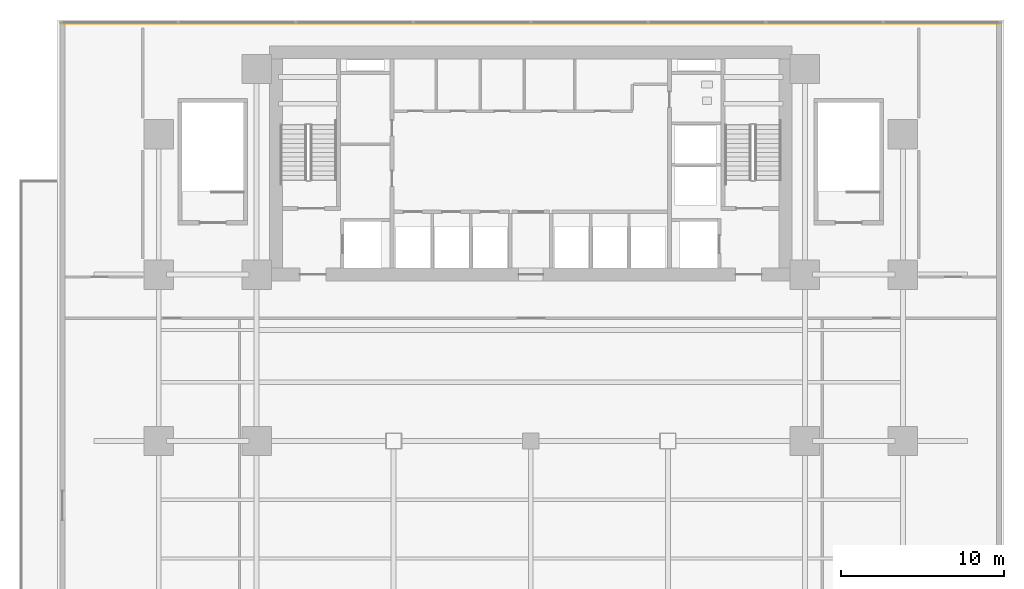
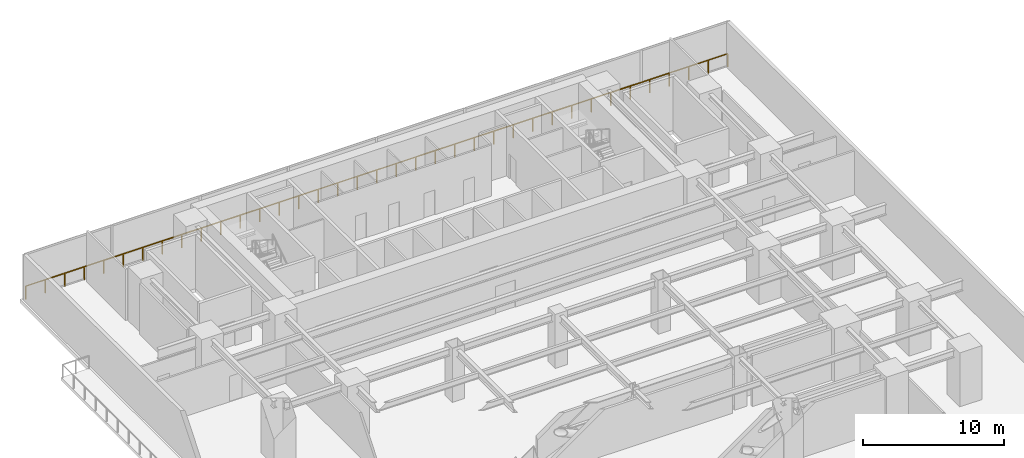
# One storey, part 13 of 15: 1 railing.
"""IFC4 building model written with IfcOpenShell, lengths in metres."""

from ifc_helpers import new_model, si_unit, direction, frame, origin, origin_2d, place, context, subcontext, project, spatial, rectangle, extrude, material, type_object, element, save


model = new_model("IFC4")

# Units and contexts
model_context = context("Model", 3, precision=1e-05, world=origin(), true_north=direction((0.0, 1.0)))
body_context = subcontext(model_context, "Body", "Model", "MODEL_VIEW")
ifc_project = project(units=[si_unit("LENGTHUNIT", "METRE"), si_unit("AREAUNIT", "SQUARE_METRE"), si_unit("VOLUMEUNIT", "CUBIC_METRE"), si_unit("PLANEANGLEUNIT", "RADIAN"), si_unit("MASSUNIT", "GRAM", prefix="KILO")], contexts=[model_context])

# Site, building, storey
site_placement = place(None, origin())
site = spatial("IfcSite", under=ifc_project, at=site_placement, CompositionType="ELEMENT")
building_placement = place(site_placement, origin())
building = spatial("IfcBuilding", under=site, at=building_placement, Name="Sumidabori Civic Tower", CompositionType="ELEMENT")
storey_placement = place(building_placement, frame((0.0, 0.0, 18.949951171875)))
storey = spatial("IfcBuildingStorey", under=building, at=storey_placement, Name="L04", CompositionType="ELEMENT", Elevation=18.949951171875)

# Railing
ifc_material = material(Name="Anodised Bronze Aluminium AW-6063-T6", Category="aluminium")
railing_type = type_object("IfcRailingType", Name="RL-BAL-1150", PredefinedType="BALUSTRADE", material=ifc_material)
railing_placement = place(storey_placement, frame((-28.64990234375, 25.60009765625, 0.0)))
element("IfcRailing", 1, at=railing_placement, inside=storey, type_object=railing_type, Name="Podium North Sill Balustrade L04", PredefinedType="BALUSTRADE", context=body_context, shape_type="SweptSolid", body=[
    extrude(rectangle(XDim=0.048095703125, YDim=0.048095703125, at=origin_2d()), frame((0.0, 0.0, 1.1259765625), z_axis=(1.0, 0.0, 0.0), x_axis=(0.0, 1.0, 0.0)), (0.0, 0.0, 1.0), 57.2998046875),
    extrude(rectangle(XDim=0.0419921875, YDim=0.0419921875, at=origin_2d()), origin(), (0.0, 0.0, 1.0), 1.101806640625),
    extrude(rectangle(XDim=0.0419921875, YDim=0.0419921875, at=origin_2d()), frame((1.591552734375, 0.0, 0.0)), (0.0, 0.0, 1.0), 1.101806640625),
    extrude(rectangle(XDim=0.0419921875, YDim=0.0419921875, at=origin_2d()), frame((3.183349609375, 0.0, 0.0)), (0.0, 0.0, 1.0), 1.101806640625),
    extrude(rectangle(XDim=0.0419921875, YDim=0.0419921875, at=origin_2d()), frame((4.77490234375, 0.0, 0.0)), (0.0, 0.0, 1.0), 1.101806640625),
    extrude(rectangle(XDim=0.0419921875, YDim=0.0419921875, at=origin_2d()), frame((6.36669921875, 0.0, 0.0)), (0.0, 0.0, 1.0), 1.101806640625),
    extrude(rectangle(XDim=0.0419921875, YDim=0.0419921875, at=origin_2d()), frame((7.958251953125, 0.0, 0.0)), (0.0, 0.0, 1.0), 1.101806640625),
    extrude(rectangle(XDim=0.0419921875, YDim=0.0419921875, at=origin_2d()), frame((9.550048828125, 0.0, 0.0)), (0.0, 0.0, 1.0), 1.101806640625),
    extrude(rectangle(XDim=0.0419921875, YDim=0.0419921875, at=origin_2d()), frame((11.1416015625, 0.0, 0.0)), (0.0, 0.0, 1.0), 1.101806640625),
    extrude(rectangle(XDim=0.0419921875, YDim=0.0419921875, at=origin_2d()), frame((12.7333984375, 0.0, 0.0)), (0.0, 0.0, 1.0), 1.101806640625),
    extrude(rectangle(XDim=0.0419921875, YDim=0.0419921875, at=origin_2d()), frame((14.324951171875, 0.0, 0.0)), (0.0, 0.0, 1.0), 1.101806640625),
    extrude(rectangle(XDim=0.0419921875, YDim=0.0419921875, at=origin_2d()), frame((15.91650390625, 0.0, 0.0)), (0.0, 0.0, 1.0), 1.101806640625),
    extrude(rectangle(XDim=0.0419921875, YDim=0.0419921875, at=origin_2d()), frame((17.50830078125, 0.0, 0.0)), (0.0, 0.0, 1.0), 1.101806640625),
    extrude(rectangle(XDim=0.0419921875, YDim=0.0419921875, at=origin_2d()), frame((19.099853515625, 0.0, 0.0)), (0.0, 0.0, 1.0), 1.101806640625),
    extrude(rectangle(XDim=0.0419921875, YDim=0.0419921875, at=origin_2d()), frame((20.691650390625, 0.0, 0.0)), (0.0, 0.0, 1.0), 1.101806640625),
    extrude(rectangle(XDim=0.0419921875, YDim=0.0419921875, at=origin_2d()), frame((22.283203125, 0.0, 0.0)), (0.0, 0.0, 1.0), 1.101806640625),
    extrude(rectangle(XDim=0.0419921875, YDim=0.0419921875, at=origin_2d()), frame((23.875, 0.0, 0.0)), (0.0, 0.0, 1.0), 1.101806640625),
    extrude(rectangle(XDim=0.0419921875, YDim=0.0419921875, at=origin_2d()), frame((25.466552734375, 0.0, 0.0)), (0.0, 0.0, 1.0), 1.101806640625),
    extrude(rectangle(XDim=0.0419921875, YDim=0.0419921875, at=origin_2d()), frame((27.058349609375, 0.0, 0.0)), (0.0, 0.0, 1.0), 1.101806640625),
    extrude(rectangle(XDim=0.0419921875, YDim=0.0419921875, at=origin_2d()), frame((28.64990234375, 0.0, 0.0)), (0.0, 0.0, 1.0), 1.101806640625),
    extrude(rectangle(XDim=0.0419921875, YDim=0.0419921875, at=origin_2d()), frame((30.241455078125, 0.0, 0.0)), (0.0, 0.0, 1.0), 1.101806640625),
    extrude(rectangle(XDim=0.0419921875, YDim=0.0419921875, at=origin_2d()), frame((31.833251953125, 0.0, 0.0)), (0.0, 0.0, 1.0), 1.101806640625),
    extrude(rectangle(XDim=0.0419921875, YDim=0.0419921875, at=origin_2d()), frame((33.4248046875, 0.0, 0.0)), (0.0, 0.0, 1.0), 1.101806640625),
    extrude(rectangle(XDim=0.0419921875, YDim=0.0419921875, at=origin_2d()), frame((35.0166015625, 0.0, 0.0)), (0.0, 0.0, 1.0), 1.101806640625),
    extrude(rectangle(XDim=0.0419921875, YDim=0.0419921875, at=origin_2d()), frame((36.608154296875, 0.0, 0.0)), (0.0, 0.0, 1.0), 1.101806640625),
    extrude(rectangle(XDim=0.0419921875, YDim=0.0419921875, at=origin_2d()), frame((38.199951171875, 0.0, 0.0)), (0.0, 0.0, 1.0), 1.101806640625),
    extrude(rectangle(XDim=0.0419921875, YDim=0.0419921875, at=origin_2d()), frame((39.79150390625, 0.0, 0.0)), (0.0, 0.0, 1.0), 1.101806640625),
    extrude(rectangle(XDim=0.0419921875, YDim=0.0419921875, at=origin_2d()), frame((41.38330078125, 0.0, 0.0)), (0.0, 0.0, 1.0), 1.101806640625),
    extrude(rectangle(XDim=0.0419921875, YDim=0.0419921875, at=origin_2d()), frame((42.974853515625, 0.0, 0.0)), (0.0, 0.0, 1.0), 1.101806640625),
    extrude(rectangle(XDim=0.0419921875, YDim=0.0419921875, at=origin_2d()), frame((44.56640625, 0.0, 0.0)), (0.0, 0.0, 1.0), 1.101806640625),
    extrude(rectangle(XDim=0.0419921875, YDim=0.0419921875, at=origin_2d()), frame((46.158203125, 0.0, 0.0)), (0.0, 0.0, 1.0), 1.101806640625),
    extrude(rectangle(XDim=0.0419921875, YDim=0.0419921875, at=origin_2d()), frame((47.749755859375, 0.0, 0.0)), (0.0, 0.0, 1.0), 1.101806640625),
    extrude(rectangle(XDim=0.0419921875, YDim=0.0419921875, at=origin_2d()), frame((49.341552734375, 0.0, 0.0)), (0.0, 0.0, 1.0), 1.101806640625),
    extrude(rectangle(XDim=0.0419921875, YDim=0.0419921875, at=origin_2d()), frame((50.93310546875, 0.0, 0.0)), (0.0, 0.0, 1.0), 1.101806640625),
    extrude(rectangle(XDim=0.0419921875, YDim=0.0419921875, at=origin_2d()), frame((52.52490234375, 0.0, 0.0)), (0.0, 0.0, 1.0), 1.101806640625),
    extrude(rectangle(XDim=0.0419921875, YDim=0.0419921875, at=origin_2d()), frame((54.116455078125, 0.0, 0.0)), (0.0, 0.0, 1.0), 1.101806640625),
    extrude(rectangle(XDim=0.0419921875, YDim=0.0419921875, at=origin_2d()), frame((55.708251953125, 0.0, 0.0)), (0.0, 0.0, 1.0), 1.101806640625),
    extrude(rectangle(XDim=0.0419921875, YDim=0.0419921875, at=origin_2d()), frame((57.2998046875, 0.0, 0.0)), (0.0, 0.0, 1.0), 1.101806640625),
])

save(model, "model.ifc")
